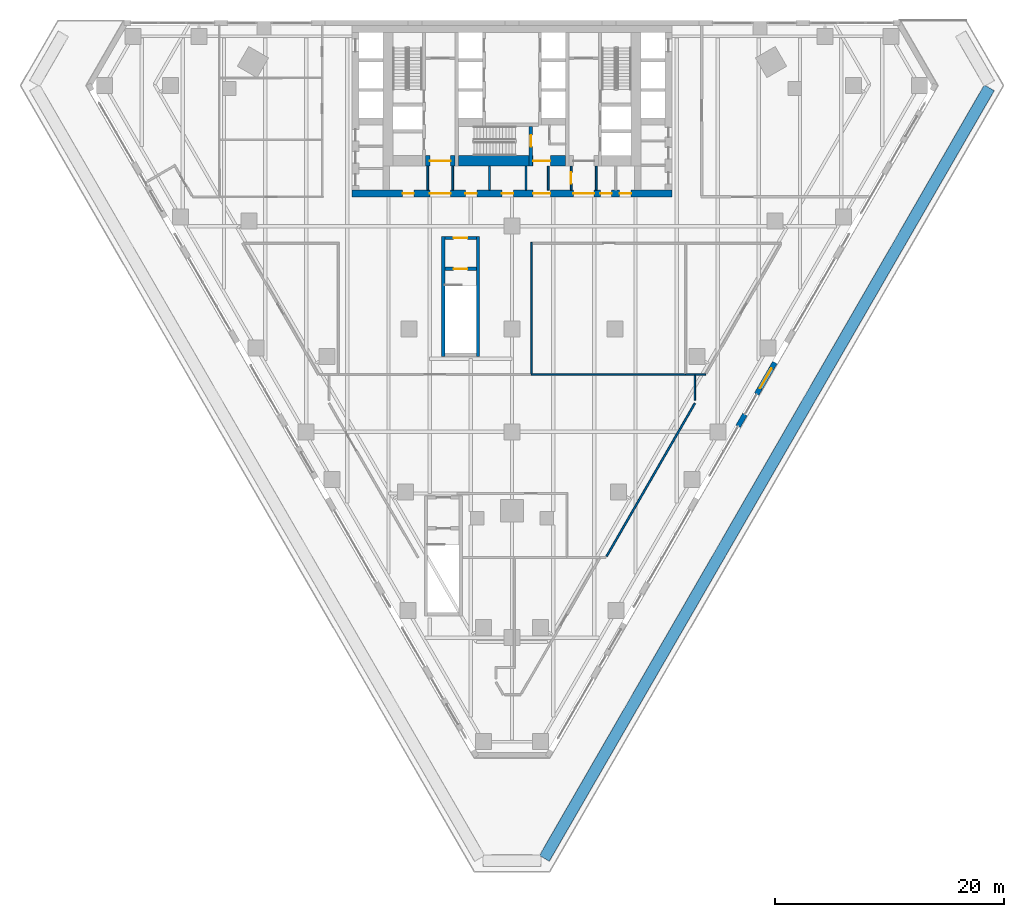
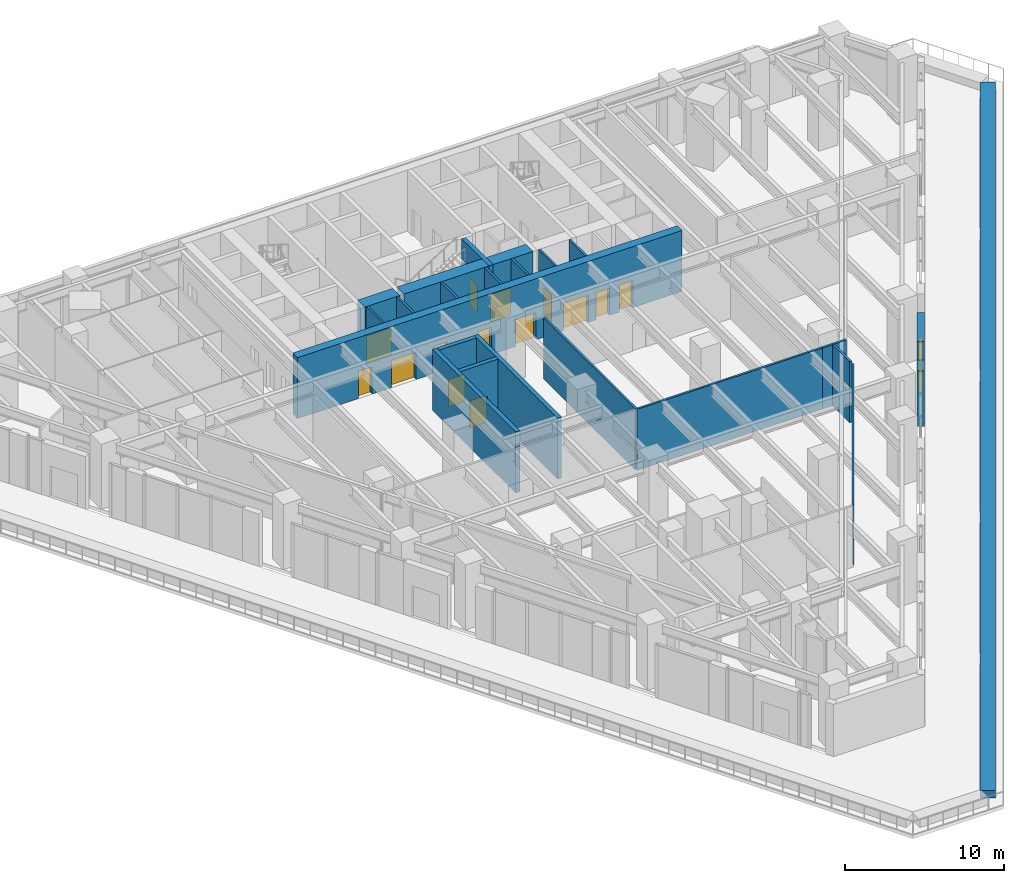
# One storey, part 23 of 31: 25 walls, 15 doors, 15 openings.
"""IFC4 building model written with IfcOpenShell, lengths in metres."""

from ifc_helpers import new_model, si_unit, direction, frame, frame_2d, origin, place, context, subcontext, project, spatial, rectangle, extrude, material, layer, layer_set, type_object, element, fill, save


model = new_model("IFC4")

# Units and contexts
model_context = context("Model", 3, precision=1e-05, world=origin(), true_north=direction((0.0, 1.0)))
body_context = subcontext(model_context, "Body", "Model", "MODEL_VIEW")
ifc_project = project(units=[si_unit("LENGTHUNIT", "METRE"), si_unit("AREAUNIT", "SQUARE_METRE"), si_unit("VOLUMEUNIT", "CUBIC_METRE"), si_unit("PLANEANGLEUNIT", "RADIAN"), si_unit("MASSUNIT", "GRAM", prefix="KILO")], contexts=[model_context])

# Site, building, storey
site_placement = place(None, origin())
site = spatial("IfcSite", under=ifc_project, at=site_placement, CompositionType="ELEMENT")
building_placement = place(site_placement, origin())
building = spatial("IfcBuilding", under=site, at=building_placement, Name="Aloe Facet Convention Tower", CompositionType="ELEMENT")
storey_placement = place(building_placement, frame((0.0, 0.0, 25.0)))
storey = spatial("IfcBuildingStorey", under=building, at=storey_placement, Name="L04", CompositionType="ELEMENT", Elevation=25.0)

# Walls
ifc_material_1 = material(Name="Concrete blockwork partition", Category="masonry")
ifc_layer_1 = layer(ifc_material_1, 0.14990234375)
ifc_layer_set_1 = layer_set([ifc_layer_1], Name="CR-W-PART150")
wall_type_1 = type_object("IfcWallType", Name="CR-W-PART150", PredefinedType="PARTITIONING", material=ifc_layer_set_1)
for number, where, z_axis, x_axis, name in (
    (1, (72.625, 122.25, 0.0), (0.0, 0.0, 1.0), (0.0, -1.0, 0.0), "Core partition L04-017"),
    (2, (74.824951171875, 122.25, 0.0), (0.0, 0.0, 1.0), (0.0, -1.0, 0.0), "Core partition L04-018"),
    (3, (78.02490234375, 122.25, 0.0), (0.0, 0.0, 1.0), (0.0, -1.0, 0.0), "Core partition L04-026"),
    (4, (81.22509765625, 122.25, 0.0), (0.0, 0.0, 1.0), (0.0, -1.0, 0.0), "Core partition L04-027"),
    (5, (83.175048828125, 122.25, 0.0), (0.0, 0.0, 1.0), (0.0, -1.0, 0.0), "Core partition L04-034"),
):
    element("IfcWall", number, at=place(storey_placement, frame(where, z_axis=z_axis, x_axis=x_axis)), inside=storey, type_object=wall_type_1, Name=name, PredefinedType="PARTITIONING", context=body_context, shape_type="SweptSolid", body=[
        extrude(rectangle(XDim=2.10009765625, YDim=0.14990234375, at=frame_2d((1.050048828125, 0.0))), origin(), (0.0, 0.0, 1.0), 4.699951171875),
    ])

# Wall, opening, door
wall_1_placement = place(storey_placement, frame((85.175048828125, 122.25, 0.0), z_axis=(0.0, 0.0, 1.0), x_axis=(0.0, -1.0, 0.0)))
wall_1 = element("IfcWall", 6, at=wall_1_placement, inside=storey, type_object=wall_type_1, Name="Core partition L04-040", PredefinedType="PARTITIONING", context=body_context, shape_type="SweptSolid", body=[
    extrude(rectangle(XDim=2.10009765625, YDim=0.14990234375, at=frame_2d((1.050048828125, 0.0))), origin(), (0.0, 0.0, 1.0), 4.699951171875),
])
opening_1_placement = place(wall_1_placement, frame((0.550048828125, 0.0, 0.0)))
opening_1 = element("IfcOpeningElement", 7, at=opening_1_placement, cuts=wall_1, Name="Opening L04-CD27", PredefinedType="OPENING", context=body_context, shape_type="SweptSolid", body=[
    extrude(rectangle(XDim=1.0, YDim=2.10009765625, at=frame_2d((0.5, 1.050048828125))), frame((0.0, 0.0849609375, 0.0), z_axis=(0.0, -1.0, 0.0), x_axis=(1.0, 0.0, 0.0)), (0.0, 0.0, 1.0), 0.169921875),
])
ifc_material_2 = material(Name="Steel fire-resisting door set FD60", Category="steel")
door_type_1 = type_object("IfcDoorType", Name="CR-D-ROOM-1000-FD60-SRIGHT", OperationType="SINGLE_SWING_RIGHT", PredefinedType="DOOR", material=ifc_material_2)
door_1_placement = place(opening_1_placement, origin())
door_1 = element("IfcDoor", 8, at=door_1_placement, inside=storey, type_object=door_type_1, Name="Core door L04-CD27", OperationType="SINGLE_SWING_RIGHT", OverallHeight=2.10009765625, OverallWidth=1.0, PredefinedType="DOOR", context=body_context, shape_type="SweptSolid", body=[
    extrude(rectangle(XDim=1.0, YDim=2.10009765625, at=frame_2d((0.5, 1.050048828125))), frame((0.0, 0.02490234375, 0.0), z_axis=(0.0, -1.0, 0.0), x_axis=(1.0, 0.0, 0.0)), (0.0, 0.0, 1.0), 0.050048828125),
])
fill(opening_1, door_1)

# Walls
wall_2_placement = place(storey_placement, frame((87.375, 122.25, 0.0), z_axis=(0.0, 0.0, 1.0), x_axis=(0.0, -1.0, 0.0)))
element("IfcWall", 9, at=wall_2_placement, inside=storey, type_object=wall_type_1, Name="Core partition L04-041", PredefinedType="PARTITIONING", context=body_context, shape_type="SweptSolid", body=[
    extrude(rectangle(XDim=2.10009765625, YDim=0.14990234375, at=frame_2d((1.050048828125, 0.0))), origin(), (0.0, 0.0, 1.0), 4.699951171875),
])
ifc_material_3 = material(Name="Concrete C50/60", Category="concrete")
ifc_layer_2 = layer(ifc_material_3, 0.300048828125)
ifc_layer_set_2 = layer_set([ifc_layer_2], Name="CR-W-RC300-C5060")
wall_type_2 = type_object("IfcWallType", Name="CR-W-RC300-C5060", PredefinedType="SOLIDWALL", material=ifc_layer_set_2)
for number, where, z_axis, x_axis, name in (
    (10, (73.97509765625, 105.60009765625, 0.0), (0.0, 0.0, 1.0), (0.0, 1.0, 0.0), "Exit stair wall L04-06"),
    (11, (77.02490234375, 105.60009765625, 0.0), (0.0, 0.0, 1.0), (0.0, 1.0, 0.0), "Exit stair wall L04-07"),
):
    element("IfcWall", number, at=place(storey_placement, frame(where, z_axis=z_axis, x_axis=x_axis)), inside=storey, type_object=wall_type_2, Name=name, PredefinedType="SOLIDWALL", context=body_context, shape_type="SweptSolid", body=[
        extrude(rectangle(XDim=10.5, YDim=0.300048828125, at=frame_2d((5.25, 0.0))), origin(), (0.0, 0.0, 1.0), 4.699951171875),
    ])

# Wall, opening, door
wall_3_placement = place(storey_placement, frame((74.125, 113.25, 0.0), z_axis=(0.0, 0.0, 1.0), x_axis=(1.0, 0.0, 0.0)))
wall_3 = element("IfcWall", 12, at=wall_3_placement, inside=storey, type_object=wall_type_2, Name="Exit stair wall L04-09", PredefinedType="SOLIDWALL", context=body_context, shape_type="SweptSolid", body=[
    extrude(rectangle(XDim=2.75, YDim=0.300048828125, at=frame_2d((1.375, 0.0))), origin(), (0.0, 0.0, 1.0), 4.699951171875),
])
opening_2_placement = place(wall_3_placement, frame((0.77490234375, 0.0, 0.0)))
opening_2 = element("IfcOpeningElement", 13, at=opening_2_placement, cuts=wall_3, Name="Opening L04-ST5-01", PredefinedType="OPENING", context=body_context, shape_type="SweptSolid", body=[
    extrude(rectangle(XDim=1.199951171875, YDim=2.10009765625, at=frame_2d((0.60009765625, 1.050048828125))), frame((0.0, 0.16015625, 0.0), z_axis=(0.0, -1.0, 0.0), x_axis=(1.0, 0.0, 0.0)), (0.0, 0.0, 1.0), 0.320068359375),
])
ifc_material_4 = material(Name="Steel fire-resisting door set FD120", Category="steel")
door_type_2 = type_object("IfcDoorType", Name="CR-D-STAIR-1200-FD120-SLEFT", OperationType="SINGLE_SWING_LEFT", PredefinedType="DOOR", material=ifc_material_4)
door_2_placement = place(opening_2_placement, origin())
door_2 = element("IfcDoor", 14, at=door_2_placement, inside=storey, type_object=door_type_2, Name="Stair door L04-ST5-01", OperationType="SINGLE_SWING_LEFT", OverallHeight=2.10009765625, OverallWidth=1.199951171875, PredefinedType="DOOR", context=body_context, shape_type="SweptSolid", body=[
    extrude(rectangle(XDim=1.199951171875, YDim=2.10009765625, at=frame_2d((0.60009765625, 1.050048828125))), frame((0.0, 0.02490234375, 0.0), z_axis=(0.0, -1.0, 0.0), x_axis=(1.0, 0.0, 0.0)), (0.0, 0.0, 1.0), 0.050048828125),
])
fill(opening_2, door_2)

wall_4_placement = place(storey_placement, frame((74.125, 115.949951171875, 0.0), z_axis=(0.0, 0.0, 1.0), x_axis=(1.0, 0.0, 0.0)))
wall_4 = element("IfcWall", 15, at=wall_4_placement, inside=storey, type_object=wall_type_2, Name="Exit stair wall L04-10", PredefinedType="SOLIDWALL", context=body_context, shape_type="SweptSolid", body=[
    extrude(rectangle(XDim=2.75, YDim=0.300048828125, at=frame_2d((1.375, 0.0))), origin(), (0.0, 0.0, 1.0), 4.699951171875),
])
opening_3_placement = place(wall_4_placement, frame((0.77490234375, 0.0, 0.0)))
opening_3 = element("IfcOpeningElement", 16, at=opening_3_placement, cuts=wall_4, Name="Opening L04-ST5-02", PredefinedType="OPENING", context=body_context, shape_type="SweptSolid", body=[
    extrude(rectangle(XDim=1.199951171875, YDim=2.10009765625, at=frame_2d((0.60009765625, 1.050048828125))), frame((0.0, 0.16015625, 0.0), z_axis=(0.0, -1.0, 0.0), x_axis=(1.0, 0.0, 0.0)), (0.0, 0.0, 1.0), 0.320068359375),
])
ifc_material_5 = material(Name="Steel fire-resisting door set FD60", Category="steel")
door_type_3 = type_object("IfcDoorType", Name="CR-D-EXIT-1200-FD60-SRIGHT", OperationType="SINGLE_SWING_RIGHT", PredefinedType="DOOR", material=ifc_material_5)
door_3_placement = place(opening_3_placement, origin())
door_3 = element("IfcDoor", 17, at=door_3_placement, inside=storey, type_object=door_type_3, Name="Stair lobby door L04-ST5-02", OperationType="SINGLE_SWING_RIGHT", OverallHeight=2.10009765625, OverallWidth=1.199951171875, PredefinedType="DOOR", context=body_context, shape_type="SweptSolid", body=[
    extrude(rectangle(XDim=1.199951171875, YDim=2.10009765625, at=frame_2d((0.60009765625, 1.050048828125))), frame((0.0, 0.02490234375, 0.0), z_axis=(0.0, -1.0, 0.0), x_axis=(1.0, 0.0, 0.0)), (0.0, 0.0, 1.0), 0.050048828125),
])
fill(opening_3, door_3)

ifc_material_6 = material(Name="Concrete C80/95", Category="concrete")
ifc_layer_3 = layer(ifc_material_6, 0.300048828125)
ifc_layer_set_3 = layer_set([ifc_layer_3], Name="CR-W-RC300-C8095")
wall_type_3 = type_object("IfcWallType", Name="CR-W-RC300-C8095", PredefinedType="SOLIDWALL", material=ifc_layer_set_3)
wall_5_placement = place(storey_placement, frame((81.64990234375, 125.699951171875, 0.0), z_axis=(0.0, 0.0, 1.0), x_axis=(0.0, -1.0, 0.0)))
wall_5 = element("IfcWall", 18, at=wall_5_placement, inside=storey, type_object=wall_type_3, Name="Core wall L04-028", PredefinedType="SOLIDWALL", context=body_context, shape_type="SweptSolid", body=[
    extrude(rectangle(XDim=3.449951171875, YDim=0.300048828125, at=frame_2d((1.72509765625, 0.0))), origin(), (0.0, 0.0, 1.0), 4.699951171875),
])
opening_4_placement = place(wall_5_placement, frame((0.75, 0.0, 0.0)))
opening_4 = element("IfcOpeningElement", 19, at=opening_4_placement, cuts=wall_5, Name="Opening L04-CD32", PredefinedType="OPENING", context=body_context, shape_type="SweptSolid", body=[
    extrude(rectangle(XDim=1.0, YDim=2.10009765625, at=frame_2d((0.5, 1.050048828125))), frame((0.0, 0.16015625, 0.0), z_axis=(0.0, -1.0, 0.0), x_axis=(1.0, 0.0, 0.0)), (0.0, 0.0, 1.0), 0.320068359375),
])
ifc_material_7 = material(Name="Steel fire-resisting door set FD120", Category="steel")
door_type_4 = type_object("IfcDoorType", Name="CR-D-STAIR-1000-FD120-SLEFT", OperationType="SINGLE_SWING_LEFT", PredefinedType="DOOR", material=ifc_material_7)
door_4_placement = place(opening_4_placement, origin())
door_4 = element("IfcDoor", 20, at=door_4_placement, inside=storey, type_object=door_type_4, Name="Core door L04-CD32", OperationType="SINGLE_SWING_LEFT", OverallHeight=2.10009765625, OverallWidth=1.0, PredefinedType="DOOR", context=body_context, shape_type="SweptSolid", body=[
    extrude(rectangle(XDim=1.0, YDim=2.10009765625, at=frame_2d((0.5, 1.050048828125))), frame((0.0, 0.02490234375, 0.0), z_axis=(0.0, -1.0, 0.0), x_axis=(1.0, 0.0, 0.0)), (0.0, 0.0, 1.0), 0.050048828125),
])
fill(opening_4, door_4)

# Wall, openings, doors
ifc_material_8 = material(Name="Concrete C80/95", Category="concrete")
ifc_layer_4 = layer(ifc_material_8, 0.60009765625)
ifc_layer_set_4 = layer_set([ifc_layer_4], Name="CR-W-RC600-C8095")
wall_type_4 = type_object("IfcWallType", Name="CR-W-RC600-C8095", PredefinedType="SOLIDWALL", material=ifc_layer_set_4)
wall_6_placement = place(storey_placement, frame((66.0, 119.85009765625, 0.0), z_axis=(0.0, 0.0, 1.0), x_axis=(1.0, 0.0, 0.0)))
wall_6 = element("IfcWall", 21, at=wall_6_placement, inside=storey, type_object=wall_type_4, Name="Core wall L04-003", PredefinedType="SOLIDWALL", context=body_context, shape_type="SweptSolid", body=[
    extrude(rectangle(XDim=28.0, YDim=0.60009765625, at=frame_2d((14.0, 0.0))), origin(), (0.0, 0.0, 1.0), 4.699951171875),
])
opening_5_placement = place(wall_6_placement, frame((6.824951171875, 0.0, 0.0)))
opening_5 = element("IfcOpeningElement", 22, at=opening_5_placement, cuts=wall_6, Name="Opening L04-CD17", PredefinedType="OPENING", context=body_context, shape_type="SweptSolid", body=[
    extrude(rectangle(XDim=1.800048828125, YDim=2.10009765625, at=frame_2d((0.89990234375, 1.050048828125))), frame((0.0, 0.31005859375, 0.0), z_axis=(0.0, -1.0, 0.0), x_axis=(1.0, 0.0, 0.0)), (0.0, 0.0, 1.0), 0.6201171875),
])
opening_6_placement = place(wall_6_placement, frame((15.85009765625, 0.0, 0.0)))
opening_6 = element("IfcOpeningElement", 23, at=opening_6_placement, cuts=wall_6, Name="Opening L04-CD18", PredefinedType="OPENING", context=body_context, shape_type="SweptSolid", body=[
    extrude(rectangle(XDim=1.5, YDim=2.10009765625, at=frame_2d((0.75, 1.050048828125))), frame((0.0, 0.31005859375, 0.0), z_axis=(0.0, -1.0, 0.0), x_axis=(1.0, 0.0, 0.0)), (0.0, 0.0, 1.0), 0.6201171875),
])
opening_7_placement = place(wall_6_placement, frame((19.375, 0.0, 0.0)))
opening_7 = element("IfcOpeningElement", 24, at=opening_7_placement, cuts=wall_6, Name="Opening L04-CD19", PredefinedType="OPENING", context=body_context, shape_type="SweptSolid", body=[
    extrude(rectangle(XDim=1.800048828125, YDim=2.10009765625, at=frame_2d((0.89990234375, 1.050048828125))), frame((0.0, 0.31005859375, 0.0), z_axis=(0.0, -1.0, 0.0), x_axis=(1.0, 0.0, 0.0)), (0.0, 0.0, 1.0), 0.6201171875),
])
opening_8_placement = place(wall_6_placement, frame((4.425048828125, 0.0, 0.0)))
opening_8 = element("IfcOpeningElement", 25, at=opening_8_placement, cuts=wall_6, Name="Opening L04-CD24", PredefinedType="OPENING", context=body_context, shape_type="SweptSolid", body=[
    extrude(rectangle(XDim=1.0, YDim=2.10009765625, at=frame_2d((0.5, 1.050048828125))), frame((0.0, 0.31005859375, 0.0), z_axis=(0.0, -1.0, 0.0), x_axis=(1.0, 0.0, 0.0)), (0.0, 0.0, 1.0), 0.6201171875),
])
opening_9_placement = place(wall_6_placement, frame((9.925048828125, 0.0, 0.0)))
opening_9 = element("IfcOpeningElement", 26, at=opening_9_placement, cuts=wall_6, Name="Opening L04-CD25", PredefinedType="OPENING", context=body_context, shape_type="SweptSolid", body=[
    extrude(rectangle(XDim=1.0, YDim=2.10009765625, at=frame_2d((0.5, 1.050048828125))), frame((0.0, 0.31005859375, 0.0), z_axis=(0.0, -1.0, 0.0), x_axis=(1.0, 0.0, 0.0)), (0.0, 0.0, 1.0), 0.6201171875),
])
opening_10_placement = place(wall_6_placement, frame((13.125, 0.0, 0.0)))
opening_10 = element("IfcOpeningElement", 27, at=opening_10_placement, cuts=wall_6, Name="Opening L04-CD26", PredefinedType="OPENING", context=body_context, shape_type="SweptSolid", body=[
    extrude(rectangle(XDim=1.0, YDim=2.10009765625, at=frame_2d((0.5, 1.050048828125))), frame((0.0, 0.31005859375, 0.0), z_axis=(0.0, -1.0, 0.0), x_axis=(1.0, 0.0, 0.0)), (0.0, 0.0, 1.0), 0.6201171875),
])
opening_11_placement = place(wall_6_placement, frame((21.72509765625, 0.0, 0.0)))
opening_11 = element("IfcOpeningElement", 28, at=opening_11_placement, cuts=wall_6, Name="Opening L04-CD28", PredefinedType="OPENING", context=body_context, shape_type="SweptSolid", body=[
    extrude(rectangle(XDim=1.0, YDim=2.10009765625, at=frame_2d((0.5, 1.050048828125))), frame((0.0, 0.31005859375, 0.0), z_axis=(0.0, -1.0, 0.0), x_axis=(1.0, 0.0, 0.0)), (0.0, 0.0, 1.0), 0.6201171875),
])
opening_12_placement = place(wall_6_placement, frame((23.425048828125, 0.0, 0.0)))
opening_12 = element("IfcOpeningElement", 29, at=opening_12_placement, cuts=wall_6, Name="Opening L04-CD29", PredefinedType="OPENING", context=body_context, shape_type="SweptSolid", body=[
    extrude(rectangle(XDim=1.0, YDim=2.10009765625, at=frame_2d((0.5, 1.050048828125))), frame((0.0, 0.31005859375, 0.0), z_axis=(0.0, -1.0, 0.0), x_axis=(1.0, 0.0, 0.0)), (0.0, 0.0, 1.0), 0.6201171875),
])
ifc_material_9 = material(Name="Steel fire-resisting door set FD60", Category="steel")
door_type_5 = type_object("IfcDoorType", Name="CR-D-EXIT-1500-FD60-DD", OperationType="DOUBLE_DOOR_DOUBLE_SWING", PredefinedType="DOOR", material=ifc_material_9)
door_5_placement = place(opening_6_placement, origin())
door_5 = element("IfcDoor", 30, at=door_5_placement, inside=storey, type_object=door_type_5, Name="Core door L04-CD18", OperationType="DOUBLE_DOOR_DOUBLE_SWING", OverallHeight=2.10009765625, OverallWidth=1.5, PredefinedType="DOOR", context=body_context, shape_type="SweptSolid", body=[
    extrude(rectangle(XDim=1.5, YDim=2.10009765625, at=frame_2d((0.75, 1.050048828125))), frame((0.0, 0.02490234375, 0.0), z_axis=(0.0, -1.0, 0.0), x_axis=(1.0, 0.0, 0.0)), (0.0, 0.0, 1.0), 0.050048828125),
])
fill(opening_6, door_5)
ifc_material_10 = material(Name="Steel fire-resisting door set FD60", Category="steel")
door_type_6 = type_object("IfcDoorType", Name="CR-D-EXIT-1800-FD60-DD", OperationType="DOUBLE_DOOR_DOUBLE_SWING", PredefinedType="DOOR", material=ifc_material_10)
door_6_placement = place(opening_5_placement, origin())
door_6 = element("IfcDoor", 31, at=door_6_placement, inside=storey, type_object=door_type_6, Name="Core door L04-CD17", OperationType="DOUBLE_DOOR_DOUBLE_SWING", OverallHeight=2.10009765625, OverallWidth=1.800048828125, PredefinedType="DOOR", context=body_context, shape_type="SweptSolid", body=[
    extrude(rectangle(XDim=1.800048828125, YDim=2.10009765625, at=frame_2d((0.89990234375, 1.050048828125))), frame((0.0, 0.02490234375, 0.0), z_axis=(0.0, -1.0, 0.0), x_axis=(1.0, 0.0, 0.0)), (0.0, 0.0, 1.0), 0.050048828125),
])
fill(opening_5, door_6)
door_7_placement = place(opening_7_placement, origin())
door_7 = element("IfcDoor", 32, at=door_7_placement, inside=storey, type_object=door_type_6, Name="Core door L04-CD19", OperationType="DOUBLE_DOOR_DOUBLE_SWING", OverallHeight=2.10009765625, OverallWidth=1.800048828125, PredefinedType="DOOR", context=body_context, shape_type="SweptSolid", body=[
    extrude(rectangle(XDim=1.800048828125, YDim=2.10009765625, at=frame_2d((0.89990234375, 1.050048828125))), frame((0.0, 0.02490234375, 0.0), z_axis=(0.0, -1.0, 0.0), x_axis=(1.0, 0.0, 0.0)), (0.0, 0.0, 1.0), 0.050048828125),
])
fill(opening_7, door_7)
door_8_placement = place(opening_8_placement, origin())
door_8 = element("IfcDoor", 33, at=door_8_placement, inside=storey, type_object=door_type_1, Name="Core door L04-CD24", OperationType="SINGLE_SWING_RIGHT", OverallHeight=2.10009765625, OverallWidth=1.0, PredefinedType="DOOR", context=body_context, shape_type="SweptSolid", body=[
    extrude(rectangle(XDim=1.0, YDim=2.10009765625, at=frame_2d((0.5, 1.050048828125))), frame((0.0, 0.02490234375, 0.0), z_axis=(0.0, -1.0, 0.0), x_axis=(1.0, 0.0, 0.0)), (0.0, 0.0, 1.0), 0.050048828125),
])
fill(opening_8, door_8)
door_9_placement = place(opening_9_placement, origin())
door_9 = element("IfcDoor", 34, at=door_9_placement, inside=storey, type_object=door_type_1, Name="Core door L04-CD25", OperationType="SINGLE_SWING_RIGHT", OverallHeight=2.10009765625, OverallWidth=1.0, PredefinedType="DOOR", context=body_context, shape_type="SweptSolid", body=[
    extrude(rectangle(XDim=1.0, YDim=2.10009765625, at=frame_2d((0.5, 1.050048828125))), frame((0.0, 0.02490234375, 0.0), z_axis=(0.0, -1.0, 0.0), x_axis=(1.0, 0.0, 0.0)), (0.0, 0.0, 1.0), 0.050048828125),
])
fill(opening_9, door_9)
door_10_placement = place(opening_10_placement, origin())
door_10 = element("IfcDoor", 35, at=door_10_placement, inside=storey, type_object=door_type_1, Name="Core door L04-CD26", OperationType="SINGLE_SWING_RIGHT", OverallHeight=2.10009765625, OverallWidth=1.0, PredefinedType="DOOR", context=body_context, shape_type="SweptSolid", body=[
    extrude(rectangle(XDim=1.0, YDim=2.10009765625, at=frame_2d((0.5, 1.050048828125))), frame((0.0, 0.02490234375, 0.0), z_axis=(0.0, -1.0, 0.0), x_axis=(1.0, 0.0, 0.0)), (0.0, 0.0, 1.0), 0.050048828125),
])
fill(opening_10, door_10)
door_11_placement = place(opening_11_placement, origin())
door_11 = element("IfcDoor", 36, at=door_11_placement, inside=storey, type_object=door_type_1, Name="Core door L04-CD28", OperationType="SINGLE_SWING_RIGHT", OverallHeight=2.10009765625, OverallWidth=1.0, PredefinedType="DOOR", context=body_context, shape_type="SweptSolid", body=[
    extrude(rectangle(XDim=1.0, YDim=2.10009765625, at=frame_2d((0.5, 1.050048828125))), frame((0.0, 0.02490234375, 0.0), z_axis=(0.0, -1.0, 0.0), x_axis=(1.0, 0.0, 0.0)), (0.0, 0.0, 1.0), 0.050048828125),
])
fill(opening_11, door_11)
door_12_placement = place(opening_12_placement, origin())
door_12 = element("IfcDoor", 37, at=door_12_placement, inside=storey, type_object=door_type_1, Name="Core door L04-CD29", OperationType="SINGLE_SWING_RIGHT", OverallHeight=2.10009765625, OverallWidth=1.0, PredefinedType="DOOR", context=body_context, shape_type="SweptSolid", body=[
    extrude(rectangle(XDim=1.0, YDim=2.10009765625, at=frame_2d((0.5, 1.050048828125))), frame((0.0, 0.02490234375, 0.0), z_axis=(0.0, -1.0, 0.0), x_axis=(1.0, 0.0, 0.0)), (0.0, 0.0, 1.0), 0.050048828125),
])
fill(opening_12, door_12)

# Wall, opening, door
ifc_material_11 = material(Name="Concrete C80/95", Category="concrete")
ifc_layer_5 = layer(ifc_material_11, 0.89990234375)
ifc_layer_set_5 = layer_set([ifc_layer_5], Name="CR-W-RC900-C8095")
wall_type_5 = type_object("IfcWallType", Name="CR-W-RC900-C8095", PredefinedType="SOLIDWALL", material=ifc_layer_set_5)
wall_7_placement = place(storey_placement, frame((72.449951171875, 122.699951171875, 0.0), z_axis=(0.0, 0.0, 1.0), x_axis=(1.0, 0.0, 0.0)))
wall_7 = element("IfcWall", 38, at=wall_7_placement, inside=storey, type_object=wall_type_5, Name="Core wall L04-016", PredefinedType="SOLIDWALL", context=body_context, shape_type="SweptSolid", body=[
    extrude(rectangle(XDim=2.550048828125, YDim=0.89990234375, at=frame_2d((1.27490234375, 0.0))), origin(), (0.0, 0.0, 1.0), 4.699951171875),
])
opening_13_placement = place(wall_7_placement, frame((0.375, 0.0, 0.0)))
opening_13 = element("IfcOpeningElement", 39, at=opening_13_placement, cuts=wall_7, Name="Opening L04-CD15", PredefinedType="OPENING", context=body_context, shape_type="SweptSolid", body=[
    extrude(rectangle(XDim=1.800048828125, YDim=2.10009765625, at=frame_2d((0.89990234375, 1.050048828125))), frame((0.0, 0.4599609375, 0.0), z_axis=(0.0, -1.0, 0.0), x_axis=(1.0, 0.0, 0.0)), (0.0, 0.0, 1.0), 0.919921875),
])
ifc_material_12 = material(Name="Steel fire-resisting door set FD120", Category="steel")
door_type_7 = type_object("IfcDoorType", Name="CR-D-EXIT-1800-FD120-DD", OperationType="DOUBLE_DOOR_DOUBLE_SWING", PredefinedType="DOOR", material=ifc_material_12)
door_13_placement = place(opening_13_placement, origin())
door_13 = element("IfcDoor", 40, at=door_13_placement, inside=storey, type_object=door_type_7, Name="Core door L04-CD15", OperationType="DOUBLE_DOOR_DOUBLE_SWING", OverallHeight=2.10009765625, OverallWidth=1.800048828125, PredefinedType="DOOR", context=body_context, shape_type="SweptSolid", body=[
    extrude(rectangle(XDim=1.800048828125, YDim=2.10009765625, at=frame_2d((0.89990234375, 1.050048828125))), frame((0.0, 0.02490234375, 0.0), z_axis=(0.0, -1.0, 0.0), x_axis=(1.0, 0.0, 0.0)), (0.0, 0.0, 1.0), 0.050048828125),
])
fill(opening_13, door_13)

# Wall
wall_8_placement = place(storey_placement, frame((75.300048828125, 122.699951171875, 0.0), z_axis=(0.0, 0.0, 1.0), x_axis=(1.0, 0.0, 0.0)))
element("IfcWall", 41, at=wall_8_placement, inside=storey, type_object=wall_type_5, Name="Core wall L04-023", PredefinedType="SOLIDWALL", context=body_context, shape_type="SweptSolid", body=[
    extrude(rectangle(XDim=6.199951171875, YDim=0.89990234375, at=frame_2d((3.10009765625, 0.0))), origin(), (0.0, 0.0, 1.0), 4.699951171875),
])

# Wall, opening, door
wall_9_placement = place(storey_placement, frame((81.800048828125, 122.699951171875, 0.0), z_axis=(0.0, 0.0, 1.0), x_axis=(1.0, 0.0, 0.0)))
wall_9 = element("IfcWall", 42, at=wall_9_placement, inside=storey, type_object=wall_type_5, Name="Core wall L04-029", PredefinedType="SOLIDWALL", context=body_context, shape_type="SweptSolid", body=[
    extrude(rectangle(XDim=2.89990234375, YDim=0.89990234375, at=frame_2d((1.449951171875, 0.0))), origin(), (0.0, 0.0, 1.0), 4.699951171875),
])
opening_14_placement = place(wall_9_placement, frame((0.050048828125, 0.0, 0.0)))
opening_14 = element("IfcOpeningElement", 43, at=opening_14_placement, cuts=wall_9, Name="Opening L04-CD16", PredefinedType="OPENING", context=body_context, shape_type="SweptSolid", body=[
    extrude(rectangle(XDim=1.5, YDim=2.10009765625, at=frame_2d((0.75, 1.050048828125))), frame((0.0, 0.4599609375, 0.0), z_axis=(0.0, -1.0, 0.0), x_axis=(1.0, 0.0, 0.0)), (0.0, 0.0, 1.0), 0.919921875),
])
door_14_placement = place(opening_14_placement, origin())
door_14 = element("IfcDoor", 44, at=door_14_placement, inside=storey, type_object=door_type_5, Name="Core door L04-CD16", OperationType="DOUBLE_DOOR_DOUBLE_SWING", OverallHeight=2.10009765625, OverallWidth=1.5, PredefinedType="DOOR", context=body_context, shape_type="SweptSolid", body=[
    extrude(rectangle(XDim=1.5, YDim=2.10009765625, at=frame_2d((0.75, 1.050048828125))), frame((0.0, 0.02490234375, 0.0), z_axis=(0.0, -1.0, 0.0), x_axis=(1.0, 0.0, 0.0)), (0.0, 0.0, 1.0), 0.050048828125),
])
fill(opening_14, door_14)

# Walls
ifc_material_13 = material(Name="Precast concrete C40/50", Category="concrete")
ifc_layer_6 = layer(ifc_material_13, 1.0)
ifc_layer_set_6 = layer_set([ifc_layer_6], Name="EV-PLANTER-BED")
wall_type_6 = type_object("IfcWallType", Name="EV-PLANTER-BED", PredefinedType="STANDARD", material=ifc_layer_set_6)
wall_10_placement = place(storey_placement, frame((121.75439453125, 129.09130859375, 0.0), z_axis=(0.0, 0.0, 1.0), x_axis=(-0.500000102728, -0.866025344474, 0.0)))
element("IfcWall", 45, at=wall_10_placement, inside=storey, type_object=wall_type_6, Name="PLANTER PT-L04-1-2", PredefinedType="STANDARD", context=body_context, shape_type="SweptSolid", body=[
    extrude(rectangle(XDim=77.8408203125, YDim=1.0, at=frame_2d((38.92041015625, 0.0))), origin(), (0.0, 0.0, 1.0), 0.60009765625),
])
ifc_material_14 = material(Name="Precast concrete C40/50", Category="concrete")
ifc_layer_7 = layer(ifc_material_14, 0.449951171875)
ifc_layer_set_7 = layer_set([ifc_layer_7], Name="EV-WALL-STONE")
wall_type_7 = type_object("IfcWallType", Name="EV-WALL-STONE", PredefinedType="SOLIDWALL", material=ifc_layer_set_7)
wall_11_placement = place(storey_placement, frame((99.778564453125, 99.47802734375, -0.25), z_axis=(0.0, 0.0, 1.0), x_axis=(0.500033551112, 0.866006032174, 0.0)))
element("IfcWall", 46, at=wall_11_placement, inside=storey, type_object=wall_type_7, Name="PW-L04-E09", PredefinedType="SOLIDWALL", context=body_context, shape_type="SweptSolid", body=[
    extrude(rectangle(XDim=1.2001953125, YDim=0.449951171875, at=frame_2d((0.60009765625, 0.0))), origin(), (0.0, 0.0, 1.0), 4.262451171875),
])

# Wall, opening, door
wall_12_placement = place(storey_placement, frame((101.400390625, 102.287109375, -0.25), z_axis=(0.0, 0.0, 1.0), x_axis=(0.499971222258, 0.866042017984, 0.0)))
wall_12 = element("IfcWall", 47, at=wall_12_placement, inside=storey, type_object=wall_type_7, Name="PW-L04-E10", PredefinedType="SOLIDWALL", context=body_context, shape_type="SweptSolid", body=[
    extrude(rectangle(XDim=3.199951171875, YDim=0.449951171875, at=frame_2d((1.60009765625, 0.0))), origin(), (0.0, 0.0, 1.0), 4.262451171875),
])
opening_15_placement = place(wall_12_placement, frame((0.60009765625, 0.0, 0.25)))
opening_15 = element("IfcOpeningElement", 48, at=opening_15_placement, cuts=wall_12, Name="Opening D-L04-E10", PredefinedType="OPENING", context=body_context, shape_type="SweptSolid", body=[
    extrude(rectangle(XDim=2.0, YDim=2.39990234375, at=frame_2d((1.0, 1.199951171875))), frame((0.0, 0.23486328125, 0.0), z_axis=(0.0, -1.0, 0.0), x_axis=(1.0, 0.0, 0.0)), (0.0, 0.0, 1.0), 0.469970703125),
])
ifc_material_15 = material(Name="Aluminium frame, clear double glazing", Category="aluminium")
door_type_8 = type_object("IfcDoorType", Name="EV-DOOR-HALL", OperationType="DOUBLE_DOOR_SINGLE_SWING", PredefinedType="DOOR", material=ifc_material_15)
door_15_placement = place(opening_15_placement, origin())
door_15 = element("IfcDoor", 49, at=door_15_placement, inside=storey, type_object=door_type_8, Name="D-L04-E10", OperationType="DOUBLE_DOOR_SINGLE_SWING", OverallHeight=2.39990234375, OverallWidth=2.0, PredefinedType="DOOR", context=body_context, shape_type="SweptSolid", body=[
    extrude(rectangle(XDim=2.0, YDim=2.39990234375, at=frame_2d((1.0, 1.199951171875))), frame((0.0, 0.02490234375, 0.0), z_axis=(0.0, -1.0, 0.0), x_axis=(1.0, 0.0, 0.0)), (0.0, 0.0, 1.0), 0.050048828125),
])
fill(opening_15, door_15)

# Walls
ifc_material_16 = material(Name="Gypsum board partition on steel studs, double layer", Category="steel")
ifc_layer_8 = layer(ifc_material_16, 0.14990234375)
ifc_layer_set_8 = layer_set([ifc_layer_8], Name="IN-POD-W-CORR")
wall_type_8 = type_object("IfcWallType", Name="IN-POD-W-CORR", PredefinedType="PARTITIONING", material=ifc_layer_set_8)
wall_13_placement = place(storey_placement, frame((88.2802734375, 88.112548828125, 0.0), z_axis=(0.0, 0.0, 1.0), x_axis=(0.500003057502, 0.866023638527, 0.0)))
element("IfcWall", 50, at=wall_13_placement, inside=storey, type_object=wall_type_8, Name="Partition L04-W016", PredefinedType="PARTITIONING", context=body_context, shape_type="SweptSolid", body=[
    extrude(rectangle(XDim=15.439453125, YDim=0.14990234375, at=frame_2d((7.7197265625, 0.0))), origin(), (0.0, 0.0, 1.0), 4.699951171875),
])
wall_14_placement = place(storey_placement, frame((81.695068359375, 104.0, 0.0), z_axis=(0.0, 0.0, 1.0), x_axis=(1.0, 0.0, 0.0)))
element("IfcWall", 51, at=wall_14_placement, inside=storey, type_object=wall_type_8, Name="Partition L04-W021", PredefinedType="PARTITIONING", context=body_context, shape_type="SweptSolid", body=[
    extrude(rectangle(XDim=13.5048828125, YDim=0.14990234375, at=frame_2d((6.75244140625, 0.0))), origin(), (0.0, 0.0, 1.0), 4.699951171875),
])
wall_15_placement = place(storey_placement, frame((81.695068359375, 104.074951171875, 0.0), z_axis=(0.0, 0.0, 1.0), x_axis=(0.0, 1.0, 0.0)))
element("IfcWall", 52, at=wall_15_placement, inside=storey, type_object=wall_type_8, Name="Partition L04-W022", PredefinedType="PARTITIONING", context=body_context, shape_type="SweptSolid", body=[
    extrude(rectangle(XDim=11.5, YDim=0.14990234375, at=frame_2d((5.75, 0.0))), origin(), (0.0, 0.0, 1.0), 4.699951171875),
])
wall_16_placement = place(storey_placement, frame((95.199951171875, 104.0, 0.0), z_axis=(0.0, 0.0, 1.0), x_axis=(1.0, 0.0, 0.0)))
element("IfcWall", 53, at=wall_16_placement, inside=storey, type_object=wall_type_8, Name="Partition L04-W023", PredefinedType="PARTITIONING", context=body_context, shape_type="SweptSolid", body=[
    extrude(rectangle(XDim=0.800048828125, YDim=0.14990234375, at=frame_2d((0.39990234375, 0.0))), origin(), (0.0, 0.0, 1.0), 4.699951171875),
])
wall_17_placement = place(storey_placement, frame((96.0, 101.76318359375, 0.0), z_axis=(0.0, 0.0, 1.0), x_axis=(0.0, 1.0, 0.0)))
element("IfcWall", 54, at=wall_17_placement, inside=storey, type_object=wall_type_8, Name="Partition L04-W025", PredefinedType="PARTITIONING", context=body_context, shape_type="SweptSolid", body=[
    extrude(rectangle(XDim=2.161865234375, YDim=0.14990234375, at=frame_2d((1.0810546875, 0.0))), origin(), (0.0, 0.0, 1.0), 4.699951171875),
])
wall_18_placement = place(storey_placement, frame((96.0, 104.0, 0.0), z_axis=(0.0, 0.0, 1.0), x_axis=(1.0, 0.0, 0.0)))
element("IfcWall", 55, at=wall_18_placement, inside=storey, type_object=wall_type_8, Name="Partition L04-W026", PredefinedType="PARTITIONING", context=body_context, shape_type="SweptSolid", body=[
    extrude(rectangle(XDim=0.933349609375, YDim=0.14990234375, at=frame_2d((0.466796875, 0.0))), origin(), (0.0, 0.0, 1.0), 4.699951171875),
])

save(model, "model.ifc")
